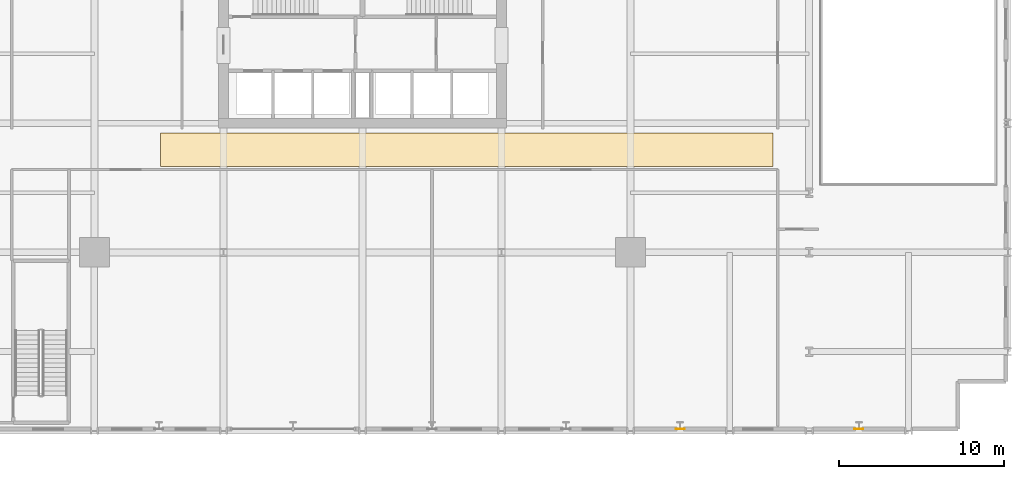
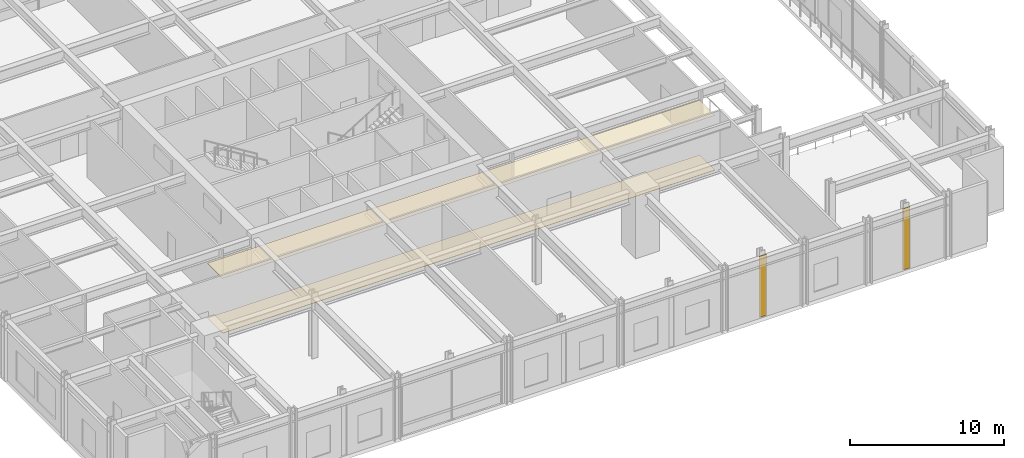
# One storey, part 17 of 20: 4 coverings.
"""IFC4 building model written with IfcOpenShell, lengths in metres."""

from ifc_helpers import new_model, si_unit, direction, frame, origin, origin_2d, place, context, subcontext, project, spatial, polyline, rectangle, outline, extrude, material, layer, layer_set, type_object, element, save


model = new_model("IFC4")

# Units and contexts
model_context = context("Model", 3, precision=1e-05, world=origin(), true_north=direction((0.0, 1.0)))
body_context = subcontext(model_context, "Body", "Model", "MODEL_VIEW")
ifc_project = project(units=[si_unit("LENGTHUNIT", "METRE"), si_unit("AREAUNIT", "SQUARE_METRE"), si_unit("VOLUMEUNIT", "CUBIC_METRE"), si_unit("PLANEANGLEUNIT", "RADIAN"), si_unit("MASSUNIT", "GRAM", prefix="KILO")], contexts=[model_context])

# Site, building, storey
site_placement = place(None, origin())
site = spatial("IfcSite", under=ifc_project, at=site_placement, CompositionType="ELEMENT")
building_placement = place(site_placement, origin())
building = spatial("IfcBuilding", under=site, at=building_placement, Name="Drelvath Grand Hotel", CompositionType="ELEMENT")
storey_placement = place(building_placement, frame((0.0, 0.0, 5.60009765625)))
storey = spatial("IfcBuildingStorey", under=building, at=storey_placement, Name="L01", CompositionType="ELEMENT", Elevation=5.60009765625)

# Coverings
ifc_material_1 = material(Name="Acoustic Gypsum Board")
ifc_layer_1 = layer(ifc_material_1, 0.02490234375)
ifc_layer_set_1 = layer_set([ifc_layer_1], Name="Acoustic Gypsum Board")
covering_type_1 = type_object("IfcCoveringType", Name="Acoustic Gypsum Hospitality Ceiling 25", PredefinedType="CEILING", material=ifc_layer_set_1)
covering_1_placement = place(storey_placement, frame((0.0, 0.0, 4.349853515625)))
element("IfcCovering", 1, at=covering_1_placement, inside=storey, type_object=covering_type_1, Name="L01 Podium Gallery Ceiling", PredefinedType="CEILING", context=body_context, shape_type="SweptSolid", body=[
    extrude(outline(polyline([(24.800048828125, 16.0), (24.800048828125, 18.0), (-12.199951171875, 18.0), (-12.199951171875, 16.0), (24.800048828125, 16.0)])), origin(), (0.0, 0.0, 1.0), 0.025146484375),
])
ifc_material_2 = material(Name="Warm Bronze Anodised Aluminium Cladding", Category="aluminium")
ifc_layer_2 = layer(ifc_material_2, 0.034912109375)
ifc_layer_set_2 = layer_set([ifc_layer_2], Name="Warm Bronze Anodised Aluminium Cladding")
covering_type_2 = type_object("IfcCoveringType", Name="Bronze Anodised Pier Cladding Panel 35", PredefinedType="CLADDING", material=ifc_layer_set_2)
for number, where, z_axis, x_axis, name in (
    (2, (19.199951171875, 0.1201171875, -0.000244140625), (0.0, 0.0, 1.0), (1.0, 0.0, 0.0), "L01 Colonnade Bronze Pier Cladding S5"),
    (3, (30.0, 0.1201171875, -0.000244140625), (0.0, 0.0, 1.0), (1.0, 0.0, 0.0), "L01 Colonnade Bronze Pier Cladding S6"),
):
    element("IfcCovering", number, at=place(storey_placement, frame(where, z_axis=z_axis, x_axis=x_axis)), inside=storey, type_object=covering_type_2, Name=name, PredefinedType="CLADDING", context=body_context, shape_type="SweptSolid", body=[
        extrude(rectangle(XDim=0.550048828125, YDim=0.034912109375, at=origin_2d()), origin(), (0.0, 0.0, 1.0), 4.85009765625),
    ])
ifc_material_3 = material(Name="Honed Indiana Limestone", Category="masonry")
ifc_layer_3 = layer(ifc_material_3, 0.030029296875)
ifc_layer_set_3 = layer_set([ifc_layer_3], Name="Honed Indiana Limestone")
covering_type_3 = type_object("IfcCoveringType", Name="Honed Limestone Lobby Flooring 30", PredefinedType="FLOORING", material=ifc_layer_set_3)
covering_2_placement = place(storey_placement, origin())
element("IfcCovering", 4, at=covering_2_placement, inside=storey, type_object=covering_type_3, Name="L01 Podium Gallery Stone Floor", PredefinedType="FLOORING", context=body_context, shape_type="SweptSolid", body=[
    extrude(outline(polyline([(24.800048828125, 16.0), (24.800048828125, 18.0), (-12.199951171875, 18.0), (-12.199951171875, 16.0), (24.800048828125, 16.0)])), origin(), (0.0, 0.0, 1.0), 0.02978515625),
])

save(model, "model.ifc")
